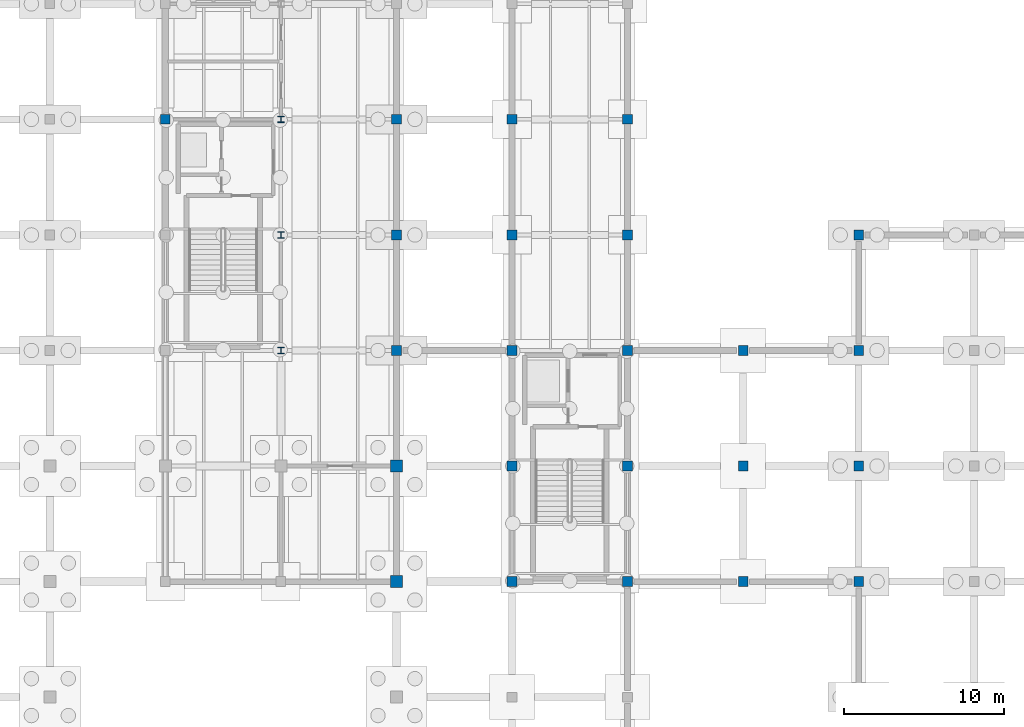
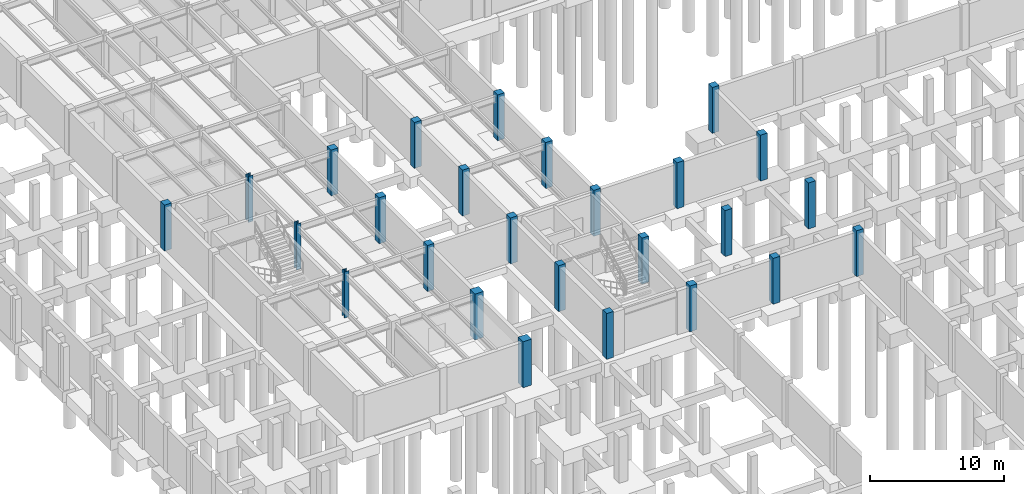
# One storey, part 12 of 46: 26 columns.
"""IFC4 building model written with IfcOpenShell, lengths in metres."""

from ifc_helpers import new_model, si_unit, direction, frame, origin, origin_2d, place, context, subcontext, project, spatial, rectangle, i_section, extrude, material, material_profile, profile_set, type_object, element, save


model = new_model("IFC4")

# Units and contexts
model_context = context("Model", 3, precision=1e-05, world=origin(), true_north=direction((0.0, 1.0)))
body_context = subcontext(model_context, "Body", "Model", "MODEL_VIEW")
ifc_project = project(units=[si_unit("LENGTHUNIT", "METRE"), si_unit("AREAUNIT", "SQUARE_METRE"), si_unit("VOLUMEUNIT", "CUBIC_METRE"), si_unit("PLANEANGLEUNIT", "RADIAN"), si_unit("MASSUNIT", "GRAM", prefix="KILO")], contexts=[model_context])

# Site, building, storey
site_placement = place(None, origin())
site = spatial("IfcSite", under=ifc_project, at=site_placement, CompositionType="ELEMENT")
building_placement = place(site_placement, origin())
building = spatial("IfcBuilding", under=site, at=building_placement, Name="Sillqori Civic Hall", CompositionType="ELEMENT")
storey_placement = place(building_placement, frame((0.0, 0.0, -4.199951171875)))
storey = spatial("IfcBuildingStorey", under=building, at=storey_placement, Name="B01", CompositionType="ELEMENT", Elevation=-4.199951171875)

# Columns
ifc_material_1 = material(Name="Concrete C35/45 (H35)", Category="concrete")
ifc_material_profile_1 = material_profile(ifc_material_1, rectangle(XDim=0.60009765625, YDim=0.60009765625, at=origin_2d()), Name="RC 600x600")
ifc_profile_set_1 = profile_set([ifc_material_profile_1], Name="Concrete C35/45 (H35)")
column_type_1 = type_object("IfcColumnType", Name="COL-RC600", PredefinedType="COLUMN", material=ifc_profile_set_1)
for number, where, z_axis, x_axis, name in (
    (1, (21.60009765625, 64.800048828125, 0.0), (0.0, 0.0, 1.0), (1.0, 0.0, 0.0), "B01 column 3-9"),
    (2, (36.0, 50.39990234375, 0.0), (0.0, 0.0, 1.0), (1.0, 0.0, 0.0), "B01 column 5-7"),
    (3, (36.0, 57.60009765625, 0.0), (0.0, 0.0, 1.0), (1.0, 0.0, 0.0), "B01 column 5-8"),
    (4, (36.0, 64.800048828125, 0.0), (0.0, 0.0, 1.0), (1.0, 0.0, 0.0), "B01 column 5-9"),
    (5, (43.199951171875, 36.0, 0.0), (0.0, 0.0, 1.0), (1.0, 0.0, 0.0), "B01 column 6-5"),
    (6, (43.199951171875, 43.199951171875, 0.0), (0.0, 0.0, 1.0), (1.0, 0.0, 0.0), "B01 column 6-6"),
    (7, (43.199951171875, 50.39990234375, 0.0), (0.0, 0.0, 1.0), (1.0, 0.0, 0.0), "B01 column 6-7"),
    (8, (43.199951171875, 57.60009765625, 0.0), (0.0, 0.0, 1.0), (1.0, 0.0, 0.0), "B01 column 6-8"),
    (9, (43.199951171875, 64.800048828125, 0.0), (0.0, 0.0, 1.0), (1.0, 0.0, 0.0), "B01 column 6-9"),
    (10, (50.39990234375, 36.0, 0.0), (0.0, 0.0, 1.0), (1.0, 0.0, 0.0), "B01 column 7-5"),
    (11, (50.39990234375, 43.199951171875, 0.0), (0.0, 0.0, 1.0), (1.0, 0.0, 0.0), "B01 column 7-6"),
    (12, (50.39990234375, 50.39990234375, 0.0), (0.0, 0.0, 1.0), (1.0, 0.0, 0.0), "B01 column 7-7"),
    (13, (50.39990234375, 57.60009765625, 0.0), (0.0, 0.0, 1.0), (1.0, 0.0, 0.0), "B01 column 7-8"),
    (14, (50.39990234375, 64.800048828125, 0.0), (0.0, 0.0, 1.0), (1.0, 0.0, 0.0), "B01 column 7-9"),
    (15, (57.60009765625, 36.0, 0.0), (0.0, 0.0, 1.0), (1.0, 0.0, 0.0), "B01 column 8-5"),
    (16, (57.60009765625, 43.199951171875, 0.0), (0.0, 0.0, 1.0), (1.0, 0.0, 0.0), "B01 column 8-6"),
    (17, (57.60009765625, 50.39990234375, 0.0), (0.0, 0.0, 1.0), (1.0, 0.0, 0.0), "B01 column 8-7"),
    (18, (64.800048828125, 36.0, 0.0), (0.0, 0.0, 1.0), (1.0, 0.0, 0.0), "B01 column 9-5"),
    (19, (64.800048828125, 43.199951171875, 0.0), (0.0, 0.0, 1.0), (1.0, 0.0, 0.0), "B01 column 9-6"),
    (20, (64.800048828125, 50.39990234375, 0.0), (0.0, 0.0, 1.0), (1.0, 0.0, 0.0), "B01 column 9-7"),
    (21, (64.800048828125, 57.60009765625, 0.0), (0.0, 0.0, 1.0), (1.0, 0.0, 0.0), "B01 column 9-8"),
):
    element("IfcColumn", number, at=place(storey_placement, frame(where, z_axis=z_axis, x_axis=x_axis)), inside=storey, type_object=column_type_1, Name=name, PredefinedType="COLUMN", context=body_context, shape_type="SweptSolid", body=[
        extrude(rectangle(XDim=0.60009765625, YDim=0.60009765625, at=origin_2d()), origin(), (0.0, 0.0, 1.0), 4.199951171875),
    ])
ifc_material_profile_2 = material_profile(ifc_material_1, rectangle(XDim=0.75, YDim=0.75, at=origin_2d()), Name="RC 750x750")
ifc_profile_set_2 = profile_set([ifc_material_profile_2], Name="Concrete C35/45 (H35)")
column_type_2 = type_object("IfcColumnType", Name="COL-RC750", PredefinedType="COLUMN", material=ifc_profile_set_2)
for number, where, z_axis, x_axis, name in (
    (22, (36.0, 36.0, 0.0), (0.0, 0.0, 1.0), (1.0, 0.0, 0.0), "B01 column 5-5"),
    (23, (36.0, 43.199951171875, 0.0), (0.0, 0.0, 1.0), (1.0, 0.0, 0.0), "B01 column 5-6"),
):
    element("IfcColumn", number, at=place(storey_placement, frame(where, z_axis=z_axis, x_axis=x_axis)), inside=storey, type_object=column_type_2, Name=name, PredefinedType="COLUMN", context=body_context, shape_type="SweptSolid", body=[
        extrude(rectangle(XDim=0.75, YDim=0.75, at=origin_2d()), origin(), (0.0, 0.0, 1.0), 4.199951171875),
    ])
ifc_material_2 = material(Name="Steel ASTM A992", Category="steel")
ifc_material_profile_3 = material_profile(ifc_material_2, i_section(OverallWidth=0.39892578125, OverallDepth=0.39404296875, WebThickness=0.022705078125, FlangeThickness=0.03662109375, FilletRadius=0.014892578125, at=origin_2d()), Name="W14X193")
ifc_profile_set_3 = profile_set([ifc_material_profile_3], Name="Steel ASTM A992")
column_type_3 = type_object("IfcColumnType", Name="COL-W14X193", PredefinedType="COLUMN", material=ifc_profile_set_3)
for number, where, z_axis, x_axis, name in (
    (24, (28.800048828125, 50.39990234375, 0.0), (0.0, 0.0, 1.0), (1.0, 0.0, 0.0), "B01 column 4-7"),
    (25, (28.800048828125, 57.60009765625, 0.0), (0.0, 0.0, 1.0), (1.0, 0.0, 0.0), "B01 column 4-8"),
    (26, (28.800048828125, 64.800048828125, 0.0), (0.0, 0.0, 1.0), (1.0, 0.0, 0.0), "B01 column 4-9"),
):
    element("IfcColumn", number, at=place(storey_placement, frame(where, z_axis=z_axis, x_axis=x_axis)), inside=storey, type_object=column_type_3, Name=name, PredefinedType="COLUMN", context=body_context, shape_type="SweptSolid", body=[
        extrude(i_section(OverallWidth=0.39892578125, OverallDepth=0.39404296875, WebThickness=0.022705078125, FlangeThickness=0.03662109375, FilletRadius=0.014892578125, at=origin_2d()), origin(), (0.0, 0.0, 1.0), 4.199951171875),
    ])

save(model, "model.ifc")
